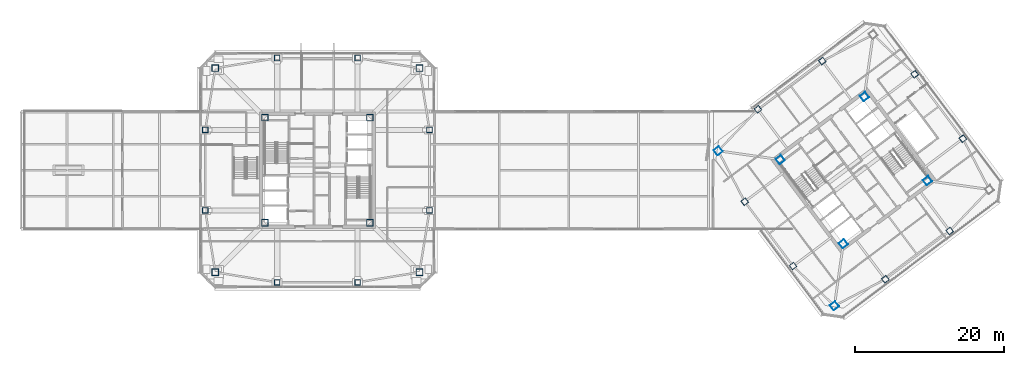
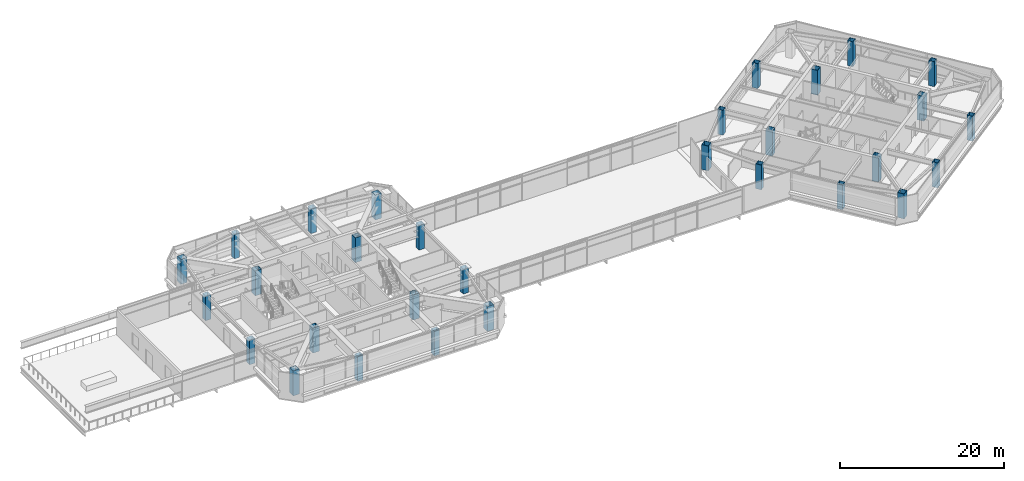
# One storey, part 1 of 51: 30 columns.
"""IFC4 building model written with IfcOpenShell, lengths in metres."""

from ifc_helpers import new_model, si_unit, direction, frame, origin, origin_2d, place, context, subcontext, project, spatial, hollow_rectangle, extrude, material, material_profile, profile_set, type_object, element, save


model = new_model("IFC4")

# Units and contexts
model_context = context("Model", 3, precision=1e-05, world=origin(), true_north=direction((0.0, 1.0)))
body_context = subcontext(model_context, "Body", "Model", "MODEL_VIEW")
ifc_project = project(units=[si_unit("LENGTHUNIT", "METRE"), si_unit("AREAUNIT", "SQUARE_METRE"), si_unit("VOLUMEUNIT", "CUBIC_METRE"), si_unit("PLANEANGLEUNIT", "RADIAN"), si_unit("MASSUNIT", "GRAM", prefix="KILO")], contexts=[model_context])

# Site, building, storey
site_placement = place(None, origin())
site = spatial("IfcSite", under=ifc_project, at=site_placement, CompositionType="ELEMENT")
building_placement = place(site_placement, origin())
building = spatial("IfcBuilding", under=site, at=building_placement, Name="Tashvorn Skyway Center", CompositionType="ELEMENT")
storey_placement = place(building_placement, frame((0.0, 0.0, 259.39990234375)))
storey = spatial("IfcBuildingStorey", under=building, at=storey_placement, Name="L70", CompositionType="ELEMENT", Elevation=259.39990234375)

# Columns
ifc_material = material(Name="Steel ASTM A572 Grade 50", Category="steel")
ifc_material_profile_1 = material_profile(ifc_material, hollow_rectangle(XDim=0.75, YDim=0.75, WallThickness=0.031982421875, at=origin_2d()), Name="BOX750x750x32")
ifc_profile_set_1 = profile_set([ifc_material_profile_1], Name="Steel ASTM A572 Grade 50")
column_type_1 = type_object("IfcColumnType", Name="COL-BOX750x750x32", PredefinedType="COLUMN", material=ifc_profile_set_1)
for number, where, z_axis, x_axis, name in (
    (1, (36.60009765625, 16.949951171875, 0.0), (0.0, 0.0, 1.0), (1.0, 0.0, 0.0), "Tower 1 L70 Perimeter Column FC-S1"),
    (2, (47.39990234375, 16.949951171875, 0.0), (0.0, 0.0, 1.0), (1.0, 0.0, 0.0), "Tower 1 L70 Perimeter Column FC-S2"),
    (3, (57.050048828125, 26.60009765625, 0.0), (0.0, 0.0, 1.0), (1.0, 0.0, 0.0), "Tower 1 L70 Perimeter Column FC-E1"),
    (4, (57.050048828125, 37.39990234375, 0.0), (0.0, 0.0, 1.0), (1.0, 0.0, 0.0), "Tower 1 L70 Perimeter Column FC-E2"),
    (5, (47.39990234375, 47.050048828125, 0.0), (0.0, 0.0, 1.0), (1.0, 0.0, 0.0), "Tower 1 L70 Perimeter Column FC-N1"),
    (6, (36.60009765625, 47.050048828125, 0.0), (0.0, 0.0, 1.0), (1.0, 0.0, 0.0), "Tower 1 L70 Perimeter Column FC-N2"),
    (7, (26.949951171875, 37.39990234375, 0.0), (0.0, 0.0, 1.0), (1.0, 0.0, 0.0), "Tower 1 L70 Perimeter Column FC-W1"),
    (8, (26.949951171875, 26.60009765625, 0.0), (0.0, 0.0, 1.0), (1.0, 0.0, 0.0), "Tower 1 L70 Perimeter Column FC-W2"),
    (9, (118.22998046875, 17.360107421875, 0.0), (0.0, 0.0, 1.0), (0.799999996291, 0.600000004945, 0.0), "Tower 2 L70 Perimeter Column FC-S1"),
    (10, (126.8701171875, 23.840087890625, 0.0), (0.0, 0.0, 1.0), (0.799999996291, 0.600000004945, 0.0), "Tower 2 L70 Perimeter Column FC-S2"),
    (11, (128.639892578125, 36.22998046875, 0.0), (0.0, 0.0, 1.0), (0.799999996291, 0.600000004945, 0.0), "Tower 2 L70 Perimeter Column FC-E1"),
    (12, (122.159912109375, 44.8701171875, 0.0), (0.0, 0.0, 1.0), (0.799999996291, 0.600000004945, 0.0), "Tower 2 L70 Perimeter Column FC-E2"),
    (13, (109.77001953125, 46.639892578125, 0.0), (0.0, 0.0, 1.0), (0.799999996291, 0.600000004945, 0.0), "Tower 2 L70 Perimeter Column FC-N1"),
    (14, (101.1298828125, 40.159912109375, 0.0), (0.0, 0.0, 1.0), (0.799999996291, 0.600000004945, 0.0), "Tower 2 L70 Perimeter Column FC-N2"),
    (15, (99.360107421875, 27.77001953125, 0.0), (0.0, 0.0, 1.0), (0.799999996291, 0.600000004945, 0.0), "Tower 2 L70 Perimeter Column FC-W1"),
    (16, (105.840087890625, 19.1298828125, 0.0), (0.0, 0.0, 1.0), (0.799999996291, 0.600000004945, 0.0), "Tower 2 L70 Perimeter Column FC-W2"),
):
    element("IfcColumn", number, at=place(storey_placement, frame(where, z_axis=z_axis, x_axis=x_axis)), inside=storey, type_object=column_type_1, Name=name, PredefinedType="COLUMN", context=body_context, shape_type="SweptSolid", body=[
        extrude(hollow_rectangle(XDim=0.75, YDim=0.75, WallThickness=0.031982421875, at=origin_2d()), origin(), (0.0, 0.0, 1.0), 3.7001953125),
    ])
ifc_material_profile_2 = material_profile(ifc_material, hollow_rectangle(XDim=0.89990234375, YDim=0.89990234375, WallThickness=0.0400390625, at=origin_2d()), Name="BOX900x900x40")
ifc_profile_set_2 = profile_set([ifc_material_profile_2], Name="Steel ASTM A572 Grade 50")
column_type_2 = type_object("IfcColumnType", Name="COL-BOX900x900x40", PredefinedType="COLUMN", material=ifc_profile_set_2)
for number, where, z_axis, x_axis, name in (
    (17, (34.949951171875, 24.949951171875, 0.0), (0.0, 0.0, 1.0), (1.0, 0.0, 0.0), "Tower 1 L70 Core Corner Column CC-SW"),
    (18, (49.050048828125, 24.949951171875, 0.0), (0.0, 0.0, 1.0), (1.0, 0.0, 0.0), "Tower 1 L70 Core Corner Column CC-SE"),
    (19, (49.050048828125, 39.050048828125, 0.0), (0.0, 0.0, 1.0), (1.0, 0.0, 0.0), "Tower 1 L70 Core Corner Column CC-NE"),
    (20, (34.949951171875, 39.050048828125, 0.0), (0.0, 0.0, 1.0), (1.0, 0.0, 0.0), "Tower 1 L70 Core Corner Column CC-NW"),
    (21, (28.300048828125, 18.300048828125, 0.0), (0.0, 0.0, 1.0), (1.0, 0.0, 0.0), "Tower 1 L70 Mega-Column MC-SW"),
    (22, (55.699951171875, 18.300048828125, 0.0), (0.0, 0.0, 1.0), (1.0, 0.0, 0.0), "Tower 1 L70 Mega-Column MC-SE"),
    (23, (55.699951171875, 45.699951171875, 0.0), (0.0, 0.0, 1.0), (1.0, 0.0, 0.0), "Tower 1 L70 Mega-Column MC-NE"),
    (24, (28.300048828125, 45.699951171875, 0.0), (0.0, 0.0, 1.0), (1.0, 0.0, 0.0), "Tower 1 L70 Mega-Column MC-NW"),
    (25, (112.590087890625, 22.1298828125, 0.0), (0.0, 0.0, 1.0), (0.799999996291, 0.600000004945, 0.0), "Tower 2 L70 Core Corner Column CC-SW"),
    (26, (123.8701171875, 30.590087890625, 0.0), (0.0, 0.0, 1.0), (0.799999996291, 0.600000004945, 0.0), "Tower 2 L70 Core Corner Column CC-SE"),
    (27, (115.409912109375, 41.8701171875, 0.0), (0.0, 0.0, 1.0), (0.799999996291, 0.600000004945, 0.0), "Tower 2 L70 Core Corner Column CC-NE"),
    (28, (104.1298828125, 33.409912109375, 0.0), (0.0, 0.0, 1.0), (0.799999996291, 0.600000004945, 0.0), "Tower 2 L70 Core Corner Column CC-NW"),
    (29, (111.39990234375, 13.800048828125, 0.0), (0.0, 0.0, 1.0), (0.799999996291, 0.600000004945, 0.0), "Tower 2 L70 Mega-Column MC-SW"),
    (30, (95.800048828125, 34.60009765625, 0.0), (0.0, 0.0, 1.0), (0.799999996291, 0.600000004945, 0.0), "Tower 2 L70 Mega-Column MC-NW"),
):
    element("IfcColumn", number, at=place(storey_placement, frame(where, z_axis=z_axis, x_axis=x_axis)), inside=storey, type_object=column_type_2, Name=name, PredefinedType="COLUMN", context=body_context, shape_type="SweptSolid", body=[
        extrude(hollow_rectangle(XDim=0.89990234375, YDim=0.89990234375, WallThickness=0.0400390625, at=origin_2d()), origin(), (0.0, 0.0, 1.0), 3.7001953125),
    ])

save(model, "model.ifc")
